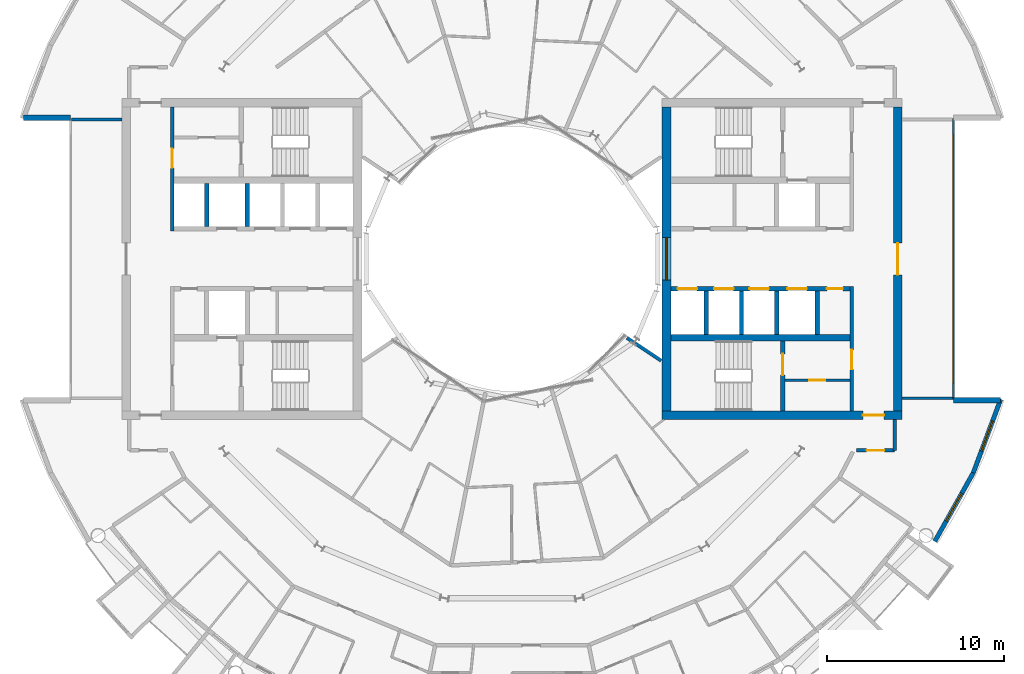
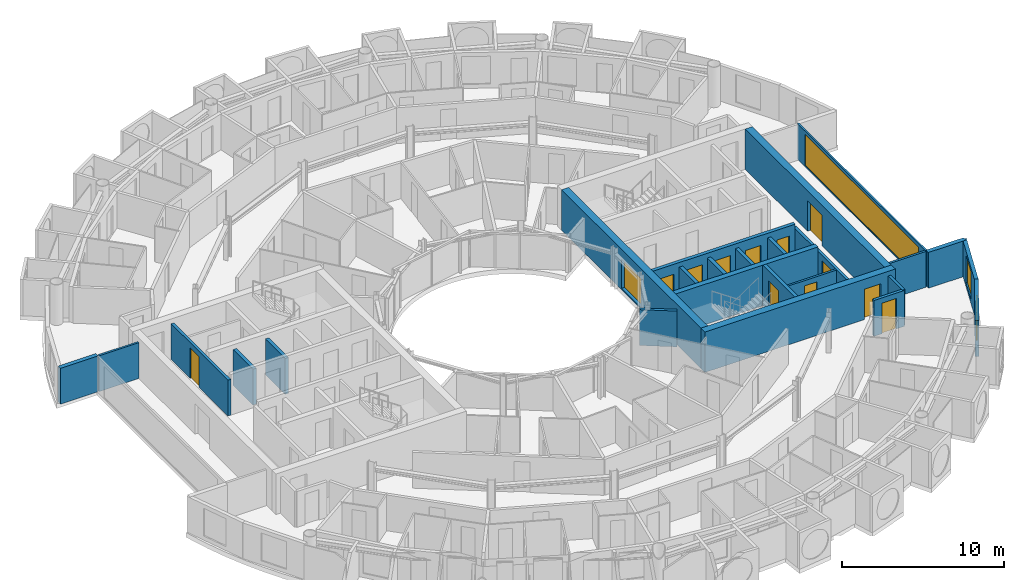
# One storey, part 18 of 27: 25 walls, 12 doors, 4 windows, 16 openings.
"""IFC4 building model written with IfcOpenShell, lengths in metres."""

from ifc_helpers import new_model, si_unit, direction, frame, frame_2d, origin, place, context, subcontext, project, spatial, rectangle, extrude, material, layer, layer_set, type_object, element, fill, save


model = new_model("IFC4")

# Units and contexts
model_context = context("Model", 3, precision=1e-05, world=origin(), true_north=direction((0.0, 1.0)))
body_context = subcontext(model_context, "Body", "Model", "MODEL_VIEW")
ifc_project = project(units=[si_unit("LENGTHUNIT", "METRE"), si_unit("AREAUNIT", "SQUARE_METRE"), si_unit("VOLUMEUNIT", "CUBIC_METRE"), si_unit("PLANEANGLEUNIT", "RADIAN"), si_unit("MASSUNIT", "GRAM", prefix="KILO")], contexts=[model_context])

# Site, building, storey
site_placement = place(None, origin())
site = spatial("IfcSite", under=ifc_project, at=site_placement, CompositionType="ELEMENT")
building_placement = place(site_placement, origin())
building = spatial("IfcBuilding", under=site, at=building_placement, Name="Maasbend Ring Residences", CompositionType="ELEMENT")
storey_placement = place(building_placement, frame((0.0, 0.0, 170.75)))
storey = spatial("IfcBuildingStorey", under=building, at=storey_placement, Name="L49", CompositionType="ELEMENT", Elevation=170.75)

# Wall, openings, doors
ifc_material_1 = material(Name="Concrete C60/75", Category="concrete")
ifc_layer_1 = layer(ifc_material_1, 0.25)
ifc_layer_set_1 = layer_set([ifc_layer_1], Name="Concrete C60/75")
wall_type_1 = type_object("IfcWallType", Name="CORE WALL 250 C60/75", PredefinedType="SHEAR", material=ifc_layer_set_1)
wall_1_placement = place(storey_placement, frame((19.14990234375, -1.699951171875, 0.0), z_axis=(0.0, 0.0, 1.0), x_axis=(-1.0, 0.0, 0.0)))
wall_1 = element("IfcWall", 1, at=wall_1_placement, inside=storey, type_object=wall_type_1, Name="L49 core E wall SPS", PredefinedType="SHEAR", context=body_context, shape_type="SweptSolid", body=[
    extrude(rectangle(XDim=10.14990234375, YDim=0.25, at=frame_2d((5.074951171875, 0.0))), origin(), (0.0, 0.0, 1.0), 3.050048828125),
])
opening_1_placement = place(wall_1_placement, frame((8.66259765625, 0.0, 0.0)))
opening_1 = element("IfcOpeningElement", 2, at=opening_1_placement, cuts=wall_1, Name="Opening LD-E4902", PredefinedType="OPENING", context=body_context, shape_type="SweptSolid", body=[
    extrude(rectangle(XDim=1.10009765625, YDim=2.300048828125, at=frame_2d((0.550048828125, 1.14990234375))), frame((0.0, 0.135009765625, 0.0), z_axis=(0.0, -1.0, 0.0), x_axis=(1.0, 0.0, 0.0)), (0.0, 0.0, 1.0), 0.27001953125),
])
opening_2_placement = place(wall_1_placement, frame((6.60009765625, 0.0, 0.0)))
opening_2 = element("IfcOpeningElement", 3, at=opening_2_placement, cuts=wall_1, Name="Opening LD-E4903", PredefinedType="OPENING", context=body_context, shape_type="SweptSolid", body=[
    extrude(rectangle(XDim=1.10009765625, YDim=2.300048828125, at=frame_2d((0.550048828125, 1.14990234375))), frame((0.0, 0.135009765625, 0.0), z_axis=(0.0, -1.0, 0.0), x_axis=(1.0, 0.0, 0.0)), (0.0, 0.0, 1.0), 0.27001953125),
])
opening_3_placement = place(wall_1_placement, frame((4.60009765625, 0.0, 0.0)))
opening_3 = element("IfcOpeningElement", 4, at=opening_3_placement, cuts=wall_1, Name="Opening LD-E4904", PredefinedType="OPENING", context=body_context, shape_type="SweptSolid", body=[
    extrude(rectangle(XDim=1.10009765625, YDim=2.300048828125, at=frame_2d((0.550048828125, 1.14990234375))), frame((0.0, 0.135009765625, 0.0), z_axis=(0.0, -1.0, 0.0), x_axis=(1.0, 0.0, 0.0)), (0.0, 0.0, 1.0), 0.27001953125),
])
opening_4_placement = place(wall_1_placement, frame((2.449951171875, 0.0, 0.0)))
opening_4 = element("IfcOpeningElement", 5, at=opening_4_placement, cuts=wall_1, Name="Opening LD-E4905", PredefinedType="OPENING", context=body_context, shape_type="SweptSolid", body=[
    extrude(rectangle(XDim=1.10009765625, YDim=2.300048828125, at=frame_2d((0.550048828125, 1.14990234375))), frame((0.0, 0.135009765625, 0.0), z_axis=(0.0, -1.0, 0.0), x_axis=(1.0, 0.0, 0.0)), (0.0, 0.0, 1.0), 0.27001953125),
])
opening_5_placement = place(wall_1_placement, frame((0.41259765625, 0.0, 0.0)))
opening_5 = element("IfcOpeningElement", 6, at=opening_5_placement, cuts=wall_1, Name="Opening D-E4909", PredefinedType="OPENING", context=body_context, shape_type="SweptSolid", body=[
    extrude(rectangle(XDim=0.89990234375, YDim=2.300048828125, at=frame_2d((0.449951171875, 1.14990234375))), frame((0.0, 0.135009765625, 0.0), z_axis=(0.0, -1.0, 0.0), x_axis=(1.0, 0.0, 0.0)), (0.0, 0.0, 1.0), 0.27001953125),
])
ifc_material_2 = material(Name="Stainless steel 316", Category="steel")
door_type_1 = type_object("IfcDoorType", Name="LANDING DOOR 1100 X 2300 FD60", OperationType="DOUBLE_DOOR_SLIDING", PredefinedType="DOOR", material=ifc_material_2)
door_1_placement = place(opening_1_placement, origin())
door_1 = element("IfcDoor", 7, at=door_1_placement, inside=storey, type_object=door_type_1, Name="Landing door HR-E1 L49", OperationType="DOUBLE_DOOR_SLIDING", OverallHeight=2.300048828125, OverallWidth=1.10009765625, PredefinedType="DOOR", context=body_context, shape_type="SweptSolid", body=[
    extrude(rectangle(XDim=1.10009765625, YDim=2.300048828125, at=frame_2d((0.550048828125, 1.14990234375))), frame((0.0, 0.02490234375, 0.0), z_axis=(0.0, -1.0, 0.0), x_axis=(1.0, 0.0, 0.0)), (0.0, 0.0, 1.0), 0.050048828125),
])
fill(opening_1, door_1)
door_2_placement = place(opening_2_placement, origin())
door_2 = element("IfcDoor", 8, at=door_2_placement, inside=storey, type_object=door_type_1, Name="Landing door HR-E2 L49", OperationType="DOUBLE_DOOR_SLIDING", OverallHeight=2.300048828125, OverallWidth=1.10009765625, PredefinedType="DOOR", context=body_context, shape_type="SweptSolid", body=[
    extrude(rectangle(XDim=1.10009765625, YDim=2.300048828125, at=frame_2d((0.550048828125, 1.14990234375))), frame((0.0, 0.02490234375, 0.0), z_axis=(0.0, -1.0, 0.0), x_axis=(1.0, 0.0, 0.0)), (0.0, 0.0, 1.0), 0.050048828125),
])
fill(opening_2, door_2)
door_3_placement = place(opening_3_placement, origin())
door_3 = element("IfcDoor", 9, at=door_3_placement, inside=storey, type_object=door_type_1, Name="Landing door HR-E3 L49", OperationType="DOUBLE_DOOR_SLIDING", OverallHeight=2.300048828125, OverallWidth=1.10009765625, PredefinedType="DOOR", context=body_context, shape_type="SweptSolid", body=[
    extrude(rectangle(XDim=1.10009765625, YDim=2.300048828125, at=frame_2d((0.550048828125, 1.14990234375))), frame((0.0, 0.02490234375, 0.0), z_axis=(0.0, -1.0, 0.0), x_axis=(1.0, 0.0, 0.0)), (0.0, 0.0, 1.0), 0.050048828125),
])
fill(opening_3, door_3)
door_4_placement = place(opening_4_placement, origin())
door_4 = element("IfcDoor", 10, at=door_4_placement, inside=storey, type_object=door_type_1, Name="Landing door SV-E L49", OperationType="DOUBLE_DOOR_SLIDING", OverallHeight=2.300048828125, OverallWidth=1.10009765625, PredefinedType="DOOR", context=body_context, shape_type="SweptSolid", body=[
    extrude(rectangle(XDim=1.10009765625, YDim=2.300048828125, at=frame_2d((0.550048828125, 1.14990234375))), frame((0.0, 0.02490234375, 0.0), z_axis=(0.0, -1.0, 0.0), x_axis=(1.0, 0.0, 0.0)), (0.0, 0.0, 1.0), 0.050048828125),
])
fill(opening_4, door_4)
ifc_material_3 = material(Name="Steel, powder coated", Category="steel")
door_type_2 = type_object("IfcDoorType", Name="ROOM DOOR 900 X 2300 FD30S", OperationType="NOTDEFINED", PredefinedType="DOOR", material=ifc_material_3)
door_5_placement = place(opening_5_placement, origin())
door_5 = element("IfcDoor", 11, at=door_5_placement, inside=storey, type_object=door_type_2, Name="Room door L49", OperationType="SINGLE_SWING_RIGHT", OverallHeight=2.300048828125, OverallWidth=0.89990234375, PredefinedType="DOOR", context=body_context, shape_type="SweptSolid", body=[
    extrude(rectangle(XDim=0.89990234375, YDim=2.300048828125, at=frame_2d((0.449951171875, 1.14990234375))), frame((0.0, 0.02490234375, 0.0), z_axis=(0.0, -1.0, 0.0), x_axis=(1.0, 0.0, 0.0)), (0.0, 0.0, 1.0), 0.050048828125),
])
fill(opening_5, door_5)

# Wall, opening, door
wall_2_placement = place(storey_placement, frame((15.324951171875, -8.60009765625, 0.0), z_axis=(0.0, 0.0, 1.0), x_axis=(0.0, 1.0, 0.0)))
wall_2 = element("IfcWall", 12, at=wall_2_placement, inside=storey, type_object=wall_type_1, Name="L49 core E wall STES", PredefinedType="SHEAR", context=body_context, shape_type="SweptSolid", body=[
    extrude(rectangle(XDim=3.9501953125, YDim=0.25, at=frame_2d((1.97509765625, 0.0))), origin(), (0.0, 0.0, 1.0), 3.050048828125),
])
opening_6_placement = place(wall_2_placement, frame((2.02490234375, 0.0, 0.0)))
opening_6 = element("IfcOpeningElement", 13, at=opening_6_placement, cuts=wall_2, Name="Opening D-E4912", PredefinedType="OPENING", context=body_context, shape_type="SweptSolid", body=[
    extrude(rectangle(XDim=1.199951171875, YDim=2.300048828125, at=frame_2d((0.60009765625, 1.14990234375))), frame((0.0, 0.135009765625, 0.0), z_axis=(0.0, -1.0, 0.0), x_axis=(1.0, 0.0, 0.0)), (0.0, 0.0, 1.0), 0.27001953125),
])
ifc_material_4 = material(Name="Steel, powder coated", Category="steel")
door_type_3 = type_object("IfcDoorType", Name="STAIR DOOR 1200 X 2300 FD60", OperationType="NOTDEFINED", PredefinedType="DOOR", material=ifc_material_4)
door_6_placement = place(opening_6_placement, origin())
door_6 = element("IfcDoor", 14, at=door_6_placement, inside=storey, type_object=door_type_3, Name="Stair door ST-E L49", OperationType="SINGLE_SWING_LEFT", OverallHeight=2.300048828125, OverallWidth=1.199951171875, PredefinedType="DOOR", context=body_context, shape_type="SweptSolid", body=[
    extrude(rectangle(XDim=1.199951171875, YDim=2.300048828125, at=frame_2d((0.60009765625, 1.14990234375))), frame((0.0, 0.02490234375, 0.0), z_axis=(0.0, -1.0, 0.0), x_axis=(1.0, 0.0, 0.0)), (0.0, 0.0, 1.0), 0.050048828125),
])
fill(opening_6, door_6)

# Wall
ifc_material_5 = material(Name="Concrete C60/75", Category="concrete")
ifc_layer_2 = layer(ifc_material_5, 0.375)
ifc_layer_set_2 = layer_set([ifc_layer_2], Name="Concrete C60/75")
wall_type_2 = type_object("IfcWallType", Name="CORE WALL 375 C60/75", PredefinedType="SHEAR", material=ifc_layer_set_2)
wall_3_placement = place(storey_placement, frame((9.0, -4.46240234375, 0.0), z_axis=(0.0, 0.0, 1.0), x_axis=(1.0, 0.0, 0.0)))
element("IfcWall", 15, at=wall_3_placement, inside=storey, type_object=wall_type_2, Name="L49 core E wall BS", PredefinedType="SHEAR", context=body_context, shape_type="SweptSolid", body=[
    extrude(rectangle(XDim=10.14990234375, YDim=0.375, at=frame_2d((5.074951171875, 0.0))), origin(), (0.0, 0.0, 1.0), 3.050048828125),
])

# Wall, opening, door
ifc_material_6 = material(Name="Concrete C60/75", Category="concrete")
ifc_layer_3 = layer(ifc_material_6, 0.5)
ifc_layer_set_3 = layer_set([ifc_layer_3], Name="Concrete C60/75")
wall_type_3 = type_object("IfcWallType", Name="CORE WALL 500 C60/75", PredefinedType="SHEAR", material=ifc_layer_set_3)
wall_4_placement = place(storey_placement, frame((8.5, -8.85009765625, 0.0), z_axis=(0.0, 0.0, 1.0), x_axis=(1.0, 0.0, 0.0)))
wall_4 = element("IfcWall", 16, at=wall_4_placement, inside=storey, type_object=wall_type_3, Name="L49 core E wall PS", PredefinedType="SHEAR", context=body_context, shape_type="SweptSolid", body=[
    extrude(rectangle(XDim=13.60009765625, YDim=0.5, at=frame_2d((6.800048828125, 0.0))), origin(), (0.0, 0.0, 1.0), 3.050048828125),
])
opening_7_placement = place(wall_4_placement, frame((11.375, 0.0, 0.0)))
opening_7 = element("IfcOpeningElement", 17, at=opening_7_placement, cuts=wall_4, Name="Opening D-E4916", PredefinedType="OPENING", context=body_context, shape_type="SweptSolid", body=[
    extrude(rectangle(XDim=1.199951171875, YDim=2.300048828125, at=frame_2d((0.60009765625, 1.14990234375))), frame((0.0, 0.260009765625, 0.0), z_axis=(0.0, -1.0, 0.0), x_axis=(1.0, 0.0, 0.0)), (0.0, 0.0, 1.0), 0.52001953125),
])
ifc_material_7 = material(Name="Steel, powder coated", Category="steel")
door_type_4 = type_object("IfcDoorType", Name="CORRIDOR DOOR 1200 X 2300 FD30S", OperationType="NOTDEFINED", PredefinedType="DOOR", material=ifc_material_7)
door_7_placement = place(opening_7_placement, origin())
door_7 = element("IfcDoor", 18, at=door_7_placement, inside=storey, type_object=door_type_4, Name="Corridor door L49", OperationType="SINGLE_SWING_LEFT", OverallHeight=2.300048828125, OverallWidth=1.199951171875, PredefinedType="DOOR", context=body_context, shape_type="SweptSolid", body=[
    extrude(rectangle(XDim=1.199951171875, YDim=2.300048828125, at=frame_2d((0.60009765625, 1.14990234375))), frame((0.0, 0.02490234375, 0.0), z_axis=(0.0, -1.0, 0.0), x_axis=(1.0, 0.0, 0.0)), (0.0, 0.0, 1.0), 0.050048828125),
])
fill(opening_7, door_7)

wall_5_placement = place(storey_placement, frame((21.85009765625, 8.60009765625, 0.0), z_axis=(0.0, 0.0, 1.0), x_axis=(0.0, -1.0, 0.0)))
wall_5 = element("IfcWall", 19, at=wall_5_placement, inside=storey, type_object=wall_type_3, Name="L49 core E wall POUT", PredefinedType="SHEAR", context=body_context, shape_type="SweptSolid", body=[
    extrude(rectangle(XDim=17.2001953125, YDim=0.5, at=frame_2d((8.60009765625, 0.0))), origin(), (0.0, 0.0, 1.0), 3.050048828125),
])
opening_8_placement = place(wall_5_placement, frame((7.699951171875, 0.0, 0.0)))
opening_8 = element("IfcOpeningElement", 20, at=opening_8_placement, cuts=wall_5, Name="Opening D-E4917", PredefinedType="OPENING", context=body_context, shape_type="SweptSolid", body=[
    extrude(rectangle(XDim=1.800048828125, YDim=2.300048828125, at=frame_2d((0.89990234375, 1.14990234375))), frame((0.0, 0.260009765625, 0.0), z_axis=(0.0, -1.0, 0.0), x_axis=(1.0, 0.0, 0.0)), (0.0, 0.0, 1.0), 0.52001953125),
])
ifc_material_8 = material(Name="Aluminium frame, clear glass", Category="aluminium")
door_type_5 = type_object("IfcDoorType", Name="ENTRANCE DOOR 1800 X 2300 FD60", OperationType="NOTDEFINED", PredefinedType="DOOR", material=ifc_material_8)
door_8_placement = place(opening_8_placement, origin())
door_8 = element("IfcDoor", 21, at=door_8_placement, inside=storey, type_object=door_type_5, Name="Lobby glazed door L49", OperationType="SINGLE_SWING_LEFT", OverallHeight=2.300048828125, OverallWidth=1.800048828125, PredefinedType="DOOR", context=body_context, shape_type="SweptSolid", body=[
    extrude(rectangle(XDim=1.800048828125, YDim=2.300048828125, at=frame_2d((0.89990234375, 1.14990234375))), frame((0.0, 0.02490234375, 0.0), z_axis=(0.0, -1.0, 0.0), x_axis=(1.0, 0.0, 0.0)), (0.0, 0.0, 1.0), 0.050048828125),
])
fill(opening_8, door_8)

# Wall, opening, window
wall_6_placement = place(storey_placement, frame((8.75, -8.60009765625, 0.0), z_axis=(0.0, 0.0, 1.0), x_axis=(0.0, 1.0, 0.0)))
wall_6 = element("IfcWall", 22, at=wall_6_placement, inside=storey, type_object=wall_type_3, Name="L49 core E wall PIN", PredefinedType="SHEAR", context=body_context, shape_type="SweptSolid", body=[
    extrude(rectangle(XDim=17.2001953125, YDim=0.5, at=frame_2d((8.60009765625, 0.0))), origin(), (0.0, 0.0, 1.0), 3.050048828125),
])
opening_9_placement = place(wall_6_placement, frame((7.39990234375, 0.0, 0.10009765625)))
opening_9 = element("IfcOpeningElement", 23, at=opening_9_placement, cuts=wall_6, Name="Opening W-E4901", PredefinedType="OPENING", context=body_context, shape_type="SweptSolid", body=[
    extrude(rectangle(XDim=2.39990234375, YDim=2.199951171875, at=frame_2d((1.199951171875, 1.10009765625))), frame((0.0, 0.260009765625, 0.0), z_axis=(0.0, -1.0, 0.0), x_axis=(1.0, 0.0, 0.0)), (0.0, 0.0, 1.0), 0.52001953125),
])
ifc_material_9 = material(Name="Aluminium frame and clear glass", Category="aluminium")
window_type_1 = type_object("IfcWindowType", Name="FIXED WINDOW 2400 X 2200", PartitioningType="SINGLE_PANEL", PredefinedType="WINDOW", material=ifc_material_9)
window_1_placement = place(opening_9_placement, origin())
window_1 = element("IfcWindow", 24, at=window_1_placement, inside=storey, type_object=window_type_1, Name="Lobby window L49", OverallHeight=2.199951171875, OverallWidth=2.39990234375, PartitioningType="SINGLE_PANEL", PredefinedType="WINDOW", context=body_context, shape_type="SweptSolid", body=[
    extrude(rectangle(XDim=2.39990234375, YDim=2.199951171875, at=frame_2d((1.199951171875, 1.10009765625))), frame((0.0, 0.030029296875, 0.0), z_axis=(0.0, -1.0, 0.0), x_axis=(1.0, 0.0, 0.0)), (0.0, 0.0, 1.0), 0.06005859375),
])
fill(opening_9, window_1)

# Wall
ifc_material_10 = material(Name="Concrete C30/37", Category="concrete")
ifc_layer_4 = layer(ifc_material_10, 0.199951171875)
ifc_layer_set_4 = layer_set([ifc_layer_4], Name="Concrete C30/37")
wall_type_4 = type_object("IfcWallType", Name="CORRIDOR WALL 200 CONCRETE", PredefinedType="PARTITIONING", material=ifc_layer_set_4)
wall_7_placement = place(storey_placement, frame((21.675048828125, -10.85009765625, 0.0), z_axis=(0.0, 0.0, 1.0), x_axis=(0.0, 1.0, 0.0)))
element("IfcWall", 25, at=wall_7_placement, inside=storey, type_object=wall_type_4, Name="U-L49-w018", PredefinedType="PARTITIONING", context=body_context, shape_type="SweptSolid", body=[
    extrude(rectangle(XDim=1.75, YDim=0.199951171875, at=frame_2d((0.875, 0.0))), origin(), (0.0, 0.0, 1.0), 2.699951171875),
])

# Wall, opening, door
wall_8_placement = place(storey_placement, frame((19.50390625, -10.85009765625, 0.0), z_axis=(0.0, 0.0, 1.0), x_axis=(1.0, 0.0, 0.0)))
wall_8 = element("IfcWall", 26, at=wall_8_placement, inside=storey, type_object=wall_type_4, Name="U-L49-w030", PredefinedType="PARTITIONING", context=body_context, shape_type="SweptSolid", body=[
    extrude(rectangle(XDim=2.171142578125, YDim=0.199951171875, at=frame_2d((1.08544921875, 0.0))), origin(), (0.0, 0.0, 1.0), 2.699951171875),
])
opening_10_placement = place(wall_8_placement, frame((0.5849609375, 0.0, 0.0)))
opening_10 = element("IfcOpeningElement", 27, at=opening_10_placement, cuts=wall_8, Name="Opening D-4967", PredefinedType="OPENING", context=body_context, shape_type="SweptSolid", body=[
    extrude(rectangle(XDim=1.0, YDim=2.300048828125, at=frame_2d((0.5, 1.14990234375))), frame((0.0, 0.10986328125, 0.0), z_axis=(0.0, -1.0, 0.0), x_axis=(1.0, 0.0, 0.0)), (0.0, 0.0, 1.0), 0.219970703125),
])
ifc_material_11 = material(Name="Timber, painted", Category="wood")
door_type_6 = type_object("IfcDoorType", Name="ROOM DOOR 1000 X 2300", OperationType="NOTDEFINED", PredefinedType="DOOR", material=ifc_material_11)
door_9_placement = place(opening_10_placement, origin())
door_9 = element("IfcDoor", 28, at=door_9_placement, inside=storey, type_object=door_type_6, Name="D-4967", OperationType="SINGLE_SWING_LEFT", OverallHeight=2.300048828125, OverallWidth=1.0, PredefinedType="DOOR", context=body_context, shape_type="SweptSolid", body=[
    extrude(rectangle(XDim=1.0, YDim=2.300048828125, at=frame_2d((0.5, 1.14990234375))), frame((0.0, 0.02490234375, 0.0), z_axis=(0.0, -1.0, 0.0), x_axis=(1.0, 0.0, 0.0)), (0.0, 0.0, 1.0), 0.050048828125),
])
fill(opening_10, door_9)

# Wall, opening, window
ifc_material_12 = material(Name="Aluminium clad insulated panel", Category="aluminium")
ifc_layer_5 = layer(ifc_material_12, 0.25)
ifc_layer_set_5 = layer_set([ifc_layer_5], Name="EW-HORN")
wall_type_5 = type_object("IfcWallType", Name="EW-HORN", PredefinedType="SOLIDWALL", material=ifc_layer_set_5)
wall_9_placement = place(storey_placement, frame((23.946044921875, -16.0, 0.0), z_axis=(0.0, 0.0, 1.0), x_axis=(0.489696356642, 0.871893042919, 0.0)))
wall_9 = element("IfcWall", 29, at=wall_9_placement, inside=storey, type_object=wall_type_5, Name="Horn wall 2.1", PredefinedType="SOLIDWALL", context=body_context, shape_type="SweptSolid", body=[
    extrude(rectangle(XDim=4.45361328125, YDim=0.25, at=frame_2d((2.226806640625, 0.0))), origin(), (0.0, 0.0, 1.0), 2.699951171875),
])
opening_11_placement = place(wall_9_placement, frame((1.32666015625, 0.0, 0.300048828125)))
opening_11 = element("IfcOpeningElement", 30, at=opening_11_placement, cuts=wall_9, Name="Opening W-BX", PredefinedType="OPENING", context=body_context, shape_type="SweptSolid", body=[
    extrude(rectangle(XDim=1.800048828125, YDim=2.10009765625, at=frame_2d((0.89990234375, 1.050048828125))), frame((0.0, 0.135009765625, 0.0), z_axis=(0.0, -1.0, 0.0), x_axis=(1.0, 0.0, 0.0)), (0.0, 0.0, 1.0), 0.27001953125),
])
ifc_material_13 = material(Name="Aluminium and clear glass", Category="aluminium")
window_type_2 = type_object("IfcWindowType", Name="W-BX", PartitioningType="DOUBLE_PANEL_VERTICAL", PredefinedType="WINDOW", material=ifc_material_13)
window_2_placement = place(opening_11_placement, origin())
window_2 = element("IfcWindow", 31, at=window_2_placement, inside=storey, type_object=window_type_2, Name="Horn window 2.1", OverallHeight=2.10009765625, OverallWidth=1.800048828125, PartitioningType="SINGLE_PANEL", PredefinedType="WINDOW", context=body_context, shape_type="SweptSolid", body=[
    extrude(rectangle(XDim=1.800048828125, YDim=2.10009765625, at=frame_2d((0.89990234375, 1.050048828125))), frame((0.0, 0.030029296875, 0.0), z_axis=(0.0, -1.0, 0.0), x_axis=(1.0, 0.0, 0.0)), (0.0, 0.0, 1.0), 0.06005859375),
])
fill(opening_11, window_2)

wall_10_placement = place(storey_placement, frame((26.126953125, -12.116943359375, 0.0), z_axis=(0.0, 0.0, 1.0), x_axis=(0.349247811493, 0.937030397675, 0.0)))
wall_10 = element("IfcWall", 32, at=wall_10_placement, inside=storey, type_object=wall_type_5, Name="Horn wall 2.2", PredefinedType="SOLIDWALL", context=body_context, shape_type="SweptSolid", body=[
    extrude(rectangle(XDim=4.4521484375, YDim=0.25, at=frame_2d((2.22607421875, 0.0))), origin(), (0.0, 0.0, 1.0), 2.699951171875),
])
opening_12_placement = place(wall_10_placement, frame((1.32666015625, 0.0, 0.300048828125)))
opening_12 = element("IfcOpeningElement", 33, at=opening_12_placement, cuts=wall_10, Name="Opening W-BX", PredefinedType="OPENING", context=body_context, shape_type="SweptSolid", body=[
    extrude(rectangle(XDim=1.800048828125, YDim=2.10009765625, at=frame_2d((0.89990234375, 1.050048828125))), frame((0.0, 0.135009765625, 0.0), z_axis=(0.0, -1.0, 0.0), x_axis=(1.0, 0.0, 0.0)), (0.0, 0.0, 1.0), 0.27001953125),
])
window_3_placement = place(opening_12_placement, origin())
window_3 = element("IfcWindow", 34, at=window_3_placement, inside=storey, type_object=window_type_2, Name="Horn window 2.2", OverallHeight=2.10009765625, OverallWidth=1.800048828125, PartitioningType="SINGLE_PANEL", PredefinedType="WINDOW", context=body_context, shape_type="SweptSolid", body=[
    extrude(rectangle(XDim=1.800048828125, YDim=2.10009765625, at=frame_2d((0.89990234375, 1.050048828125))), frame((0.0, 0.030029296875, 0.0), z_axis=(0.0, -1.0, 0.0), x_axis=(1.0, 0.0, 0.0)), (0.0, 0.0, 1.0), 0.06005859375),
])
fill(opening_12, window_3)

# Walls
ifc_material_14 = material(Name="Aluminium clad insulated panel", Category="aluminium")
ifc_layer_6 = layer(ifc_material_14, 0.300048828125)
ifc_layer_set_6 = layer_set([ifc_layer_6], Name="EW-RET")
wall_type_6 = type_object("IfcWallType", Name="EW-RET", PredefinedType="SOLIDWALL", material=ifc_layer_set_6)
for number, where, z_axis, x_axis, name in (
    (35, (25.0, -8.0, 0.0), (0.0, 0.0, 1.0), (1.0, 0.0, 0.0), "Notch return wall east south"),
    (36, (-25.0, 8.0, 0.0), (0.0, 0.0, 1.0), (-1.0, 0.0, 0.0), "Notch return wall west north"),
):
    element("IfcWall", number, at=place(storey_placement, frame(where, z_axis=z_axis, x_axis=x_axis)), inside=storey, type_object=wall_type_6, Name=name, PredefinedType="SOLIDWALL", context=body_context, shape_type="SweptSolid", body=[
        extrude(rectangle(XDim=2.6669921875, YDim=0.300048828125, at=frame_2d((1.33349609375, 0.0))), origin(), (0.0, 0.0, 1.0), 2.699951171875),
    ])

# Wall, opening, window
ifc_material_15 = material(Name="Aluminium frame and clear glass", Category="aluminium")
ifc_layer_7 = layer(ifc_material_15, 0.1201171875)
ifc_layer_set_7 = layer_set([ifc_layer_7], Name="GLAZED SCREEN WALL 120 EI 60")
wall_type_7 = type_object("IfcWallType", Name="GLAZED SCREEN WALL 120 EI 60", PredefinedType="PARTITIONING", material=ifc_layer_set_7)
wall_11_placement = place(storey_placement, frame((25.0, -7.949951171875, 0.0), z_axis=(0.0, 0.0, 1.0), x_axis=(0.0, 1.0, 0.0)))
wall_11 = element("IfcWall", 37, at=wall_11_placement, inside=storey, type_object=wall_type_7, Name="L49 core E wall FACE", PredefinedType="PARTITIONING", context=body_context, shape_type="SweptSolid", body=[
    extrude(rectangle(XDim=15.89990234375, YDim=0.1201171875, at=frame_2d((7.949951171875, 0.0))), origin(), (0.0, 0.0, 1.0), 2.699951171875),
])
opening_13_placement = place(wall_11_placement, frame((0.949951171875, 0.0, 0.10009765625)))
opening_13 = element("IfcOpeningElement", 38, at=opening_13_placement, cuts=wall_11, Name="Opening W-E4902", PredefinedType="OPENING", context=body_context, shape_type="SweptSolid", body=[
    extrude(rectangle(XDim=14.0, YDim=2.35009765625, at=frame_2d((7.0, 1.175048828125))), frame((0.0, 0.070068359375, 0.0), z_axis=(0.0, -1.0, 0.0), x_axis=(1.0, 0.0, 0.0)), (0.0, 0.0, 1.0), 0.14013671875),
])
ifc_material_16 = material(Name="Aluminium frame and clear glass", Category="aluminium")
window_type_3 = type_object("IfcWindowType", Name="FIXED WINDOW 14000 X 2350", PartitioningType="SINGLE_PANEL", PredefinedType="WINDOW", material=ifc_material_16)
window_4_placement = place(opening_13_placement, origin())
window_4 = element("IfcWindow", 39, at=window_4_placement, inside=storey, type_object=window_type_3, Name="Lobby window L49", OverallHeight=2.35009765625, OverallWidth=14.0, PartitioningType="SINGLE_PANEL", PredefinedType="WINDOW", context=body_context, shape_type="SweptSolid", body=[
    extrude(rectangle(XDim=14.0, YDim=2.35009765625, at=frame_2d((7.0, 1.175048828125))), frame((0.0, 0.030029296875, 0.0), z_axis=(0.0, -1.0, 0.0), x_axis=(1.0, 0.0, 0.0)), (0.0, 0.0, 1.0), 0.06005859375),
])
fill(opening_13, window_4)

# Wall, opening, door
ifc_material_17 = material(Name="Gypsum board on steel studs", Category="steel")
ifc_layer_8 = layer(ifc_material_17, 0.14990234375)
ifc_layer_set_8 = layer_set([ifc_layer_8], Name="PARTITION 150 EI 60")
wall_type_8 = type_object("IfcWallType", Name="PARTITION 150 EI 60", PredefinedType="PARTITIONING", material=ifc_layer_set_8)
wall_12_placement = place(storey_placement, frame((15.449951171875, -6.875, 0.0), z_axis=(0.0, 0.0, 1.0), x_axis=(1.0, 0.0, 0.0)))
wall_12 = element("IfcWall", 40, at=wall_12_placement, inside=storey, type_object=wall_type_8, Name="L49 core E wall RHS", PredefinedType="PARTITIONING", context=body_context, shape_type="SweptSolid", body=[
    extrude(rectangle(XDim=3.699951171875, YDim=0.14990234375, at=frame_2d((1.85009765625, 0.0))), origin(), (0.0, 0.0, 1.0), 2.699951171875),
])
opening_14_placement = place(wall_12_placement, frame((1.39990234375, 0.0, 0.0)))
opening_14 = element("IfcOpeningElement", 41, at=opening_14_placement, cuts=wall_12, Name="Opening D-E4910", PredefinedType="OPENING", context=body_context, shape_type="SweptSolid", body=[
    extrude(rectangle(XDim=0.89990234375, YDim=2.300048828125, at=frame_2d((0.449951171875, 1.14990234375))), frame((0.0, 0.0849609375, 0.0), z_axis=(0.0, -1.0, 0.0), x_axis=(1.0, 0.0, 0.0)), (0.0, 0.0, 1.0), 0.169921875),
])
ifc_material_18 = material(Name="Steel, powder coated", Category="steel")
door_type_7 = type_object("IfcDoorType", Name="RISER DOOR 900 X 2300 FD60", OperationType="NOTDEFINED", PredefinedType="DOOR", material=ifc_material_18)
door_10_placement = place(opening_14_placement, origin())
door_10 = element("IfcDoor", 42, at=door_10_placement, inside=storey, type_object=door_type_7, Name="Riser door L49", OperationType="SINGLE_SWING_LEFT", OverallHeight=2.300048828125, OverallWidth=0.89990234375, PredefinedType="DOOR", context=body_context, shape_type="SweptSolid", body=[
    extrude(rectangle(XDim=0.89990234375, YDim=2.300048828125, at=frame_2d((0.449951171875, 1.14990234375))), frame((0.0, 0.02490234375, 0.0), z_axis=(0.0, -1.0, 0.0), x_axis=(1.0, 0.0, 0.0)), (0.0, 0.0, 1.0), 0.050048828125),
])
fill(opening_14, door_10)

# Walls
for number, where, z_axis, x_axis, name in (
    (43, (22.10009765625, -7.89990234375, 0.0), (0.0, 0.0, 1.0), (1.0, 0.0, 0.0), "L49 core E wall CITS"),
    (44, (-22.10009765625, 7.89990234375, 0.0), (0.0, 0.0, 1.0), (-1.0, 0.0, 0.0), "L49 core W wall CITS"),
):
    element("IfcWall", number, at=place(storey_placement, frame(where, z_axis=z_axis, x_axis=x_axis)), inside=storey, type_object=wall_type_8, Name=name, PredefinedType="PARTITIONING", context=body_context, shape_type="SweptSolid", body=[
        extrude(rectangle(XDim=2.83984375, YDim=0.14990234375, at=frame_2d((1.419921875, 0.0))), origin(), (0.0, 0.0, 1.0), 2.699951171875),
    ])
ifc_material_19 = material(Name="Concrete C30/37", Category="concrete")
ifc_layer_9 = layer(ifc_material_19, 0.199951171875)
ifc_layer_set_9 = layer_set([ifc_layer_9], Name="Concrete C30/37")
wall_type_9 = type_object("IfcWallType", Name="PARTY WALL 200 CONCRETE", PredefinedType="PARTITIONING", material=ifc_layer_set_9)
wall_13_placement = place(storey_placement, frame((6.512939453125, -4.471923828125, 0.0), z_axis=(0.0, 0.0, 1.0), x_axis=(0.83133816625, -0.555766905579, 0.0)))
element("IfcWall", 45, at=wall_13_placement, inside=storey, type_object=wall_type_9, Name="U-L49-w032", PredefinedType="PARTITIONING", context=body_context, shape_type="SweptSolid", body=[
    extrude(rectangle(XDim=2.322998046875, YDim=0.199951171875, at=frame_2d((1.16162109375, 0.0))), origin(), (0.0, 0.0, 1.0), 2.699951171875),
])

# Wall, opening, door
ifc_material_20 = material(Name="Concrete C30/37", Category="concrete")
ifc_layer_10 = layer(ifc_material_20, 0.199951171875)
ifc_layer_set_10 = layer_set([ifc_layer_10], Name="Concrete C30/37")
wall_type_10 = type_object("IfcWallType", Name="SHAFT WALL 200 EI 120", PredefinedType="SOLIDWALL", material=ifc_layer_set_10)
wall_14_placement = place(storey_placement, frame((19.25, -8.60009765625, 0.0), z_axis=(0.0, 0.0, 1.0), x_axis=(0.0, 1.0, 0.0)))
wall_14 = element("IfcWall", 46, at=wall_14_placement, inside=storey, type_object=wall_type_10, Name="L49 core E wall ENDS", PredefinedType="SOLIDWALL", context=body_context, shape_type="SweptSolid", body=[
    extrude(rectangle(XDim=7.025146484375, YDim=0.199951171875, at=frame_2d((3.5126953125, 0.0))), origin(), (0.0, 0.0, 1.0), 2.699951171875),
])
opening_15_placement = place(wall_14_placement, frame((2.35009765625, 0.0, 0.0)))
opening_15 = element("IfcOpeningElement", 47, at=opening_15_placement, cuts=wall_14, Name="Opening D-E4914", PredefinedType="OPENING", context=body_context, shape_type="SweptSolid", body=[
    extrude(rectangle(XDim=1.10009765625, YDim=2.300048828125, at=frame_2d((0.550048828125, 1.14990234375))), frame((0.0, 0.10986328125, 0.0), z_axis=(0.0, -1.0, 0.0), x_axis=(1.0, 0.0, 0.0)), (0.0, 0.0, 1.0), 0.219970703125),
])
ifc_material_21 = material(Name="Steel, powder coated", Category="steel")
door_type_8 = type_object("IfcDoorType", Name="LOBBY DOOR 1100 X 2300 FD60", OperationType="NOTDEFINED", PredefinedType="DOOR", material=ifc_material_21)
door_11_placement = place(opening_15_placement, origin())
door_11 = element("IfcDoor", 48, at=door_11_placement, inside=storey, type_object=door_type_8, Name="Lobby door L49", OperationType="SINGLE_SWING_RIGHT", OverallHeight=2.300048828125, OverallWidth=1.10009765625, PredefinedType="DOOR", context=body_context, shape_type="SweptSolid", body=[
    extrude(rectangle(XDim=1.10009765625, YDim=2.300048828125, at=frame_2d((0.550048828125, 1.14990234375))), frame((0.0, 0.02490234375, 0.0), z_axis=(0.0, -1.0, 0.0), x_axis=(1.0, 0.0, 0.0)), (0.0, 0.0, 1.0), 0.050048828125),
])
fill(opening_15, door_11)

wall_15_placement = place(storey_placement, frame((-19.25, 8.60009765625, 0.0), z_axis=(0.0, 0.0, 1.0), x_axis=(0.0, -1.0, 0.0)))
wall_15 = element("IfcWall", 49, at=wall_15_placement, inside=storey, type_object=wall_type_10, Name="L49 core W wall ENDS", PredefinedType="SOLIDWALL", context=body_context, shape_type="SweptSolid", body=[
    extrude(rectangle(XDim=7.025146484375, YDim=0.199951171875, at=frame_2d((3.5126953125, 0.0))), origin(), (0.0, 0.0, 1.0), 2.699951171875),
])
opening_16_placement = place(wall_15_placement, frame((2.35009765625, 0.0, 0.0)))
opening_16 = element("IfcOpeningElement", 50, at=opening_16_placement, cuts=wall_15, Name="Opening D-W4913", PredefinedType="OPENING", context=body_context, shape_type="SweptSolid", body=[
    extrude(rectangle(XDim=1.10009765625, YDim=2.300048828125, at=frame_2d((0.550048828125, 1.14990234375))), frame((0.0, 0.10986328125, 0.0), z_axis=(0.0, -1.0, 0.0), x_axis=(1.0, 0.0, 0.0)), (0.0, 0.0, 1.0), 0.219970703125),
])
door_12_placement = place(opening_16_placement, origin())
door_12 = element("IfcDoor", 51, at=door_12_placement, inside=storey, type_object=door_type_8, Name="Lobby door L49", OperationType="SINGLE_SWING_RIGHT", OverallHeight=2.300048828125, OverallWidth=1.10009765625, PredefinedType="DOOR", context=body_context, shape_type="SweptSolid", body=[
    extrude(rectangle(XDim=1.10009765625, YDim=2.300048828125, at=frame_2d((0.550048828125, 1.14990234375))), frame((0.0, 0.02490234375, 0.0), z_axis=(0.0, -1.0, 0.0), x_axis=(1.0, 0.0, 0.0)), (0.0, 0.0, 1.0), 0.050048828125),
])
fill(opening_16, door_12)

# Walls
ifc_material_22 = material(Name="Concrete C30/37", Category="concrete")
ifc_layer_11 = layer(ifc_material_22, 0.25)
ifc_layer_set_11 = layer_set([ifc_layer_11], Name="Concrete C30/37")
wall_type_11 = type_object("IfcWallType", Name="SHAFT WALL 250 EI 120", PredefinedType="SOLIDWALL", material=ifc_layer_set_11)
for number, where, z_axis, x_axis, name in (
    (52, (15.0, -1.824951171875, 0.0), (0.0, 0.0, 1.0), (0.0, -1.0, 0.0), "L49 core E wall D150S"),
    (53, (17.300048828125, -1.824951171875, 0.0), (0.0, 0.0, 1.0), (0.0, -1.0, 0.0), "L49 core E wall D173S"),
    (54, (11.0, -1.824951171875, 0.0), (0.0, 0.0, 1.0), (0.0, -1.0, 0.0), "L49 core E wall D110S"),
    (55, (13.0, -1.824951171875, 0.0), (0.0, 0.0, 1.0), (0.0, -1.0, 0.0), "L49 core E wall D130S"),
    (56, (-15.0, 1.824951171875, 0.0), (0.0, 0.0, 1.0), (0.0, 1.0, 0.0), "L49 core W wall D150S"),
    (57, (-17.300048828125, 1.824951171875, 0.0), (0.0, 0.0, 1.0), (0.0, 1.0, 0.0), "L49 core W wall D173S"),
):
    element("IfcWall", number, at=place(storey_placement, frame(where, z_axis=z_axis, x_axis=x_axis)), inside=storey, type_object=wall_type_11, Name=name, PredefinedType="SOLIDWALL", context=body_context, shape_type="SweptSolid", body=[
        extrude(rectangle(XDim=2.449951171875, YDim=0.25, at=frame_2d((1.22509765625, 0.0))), origin(), (0.0, 0.0, 1.0), 2.699951171875),
    ])

save(model, "model.ifc")
